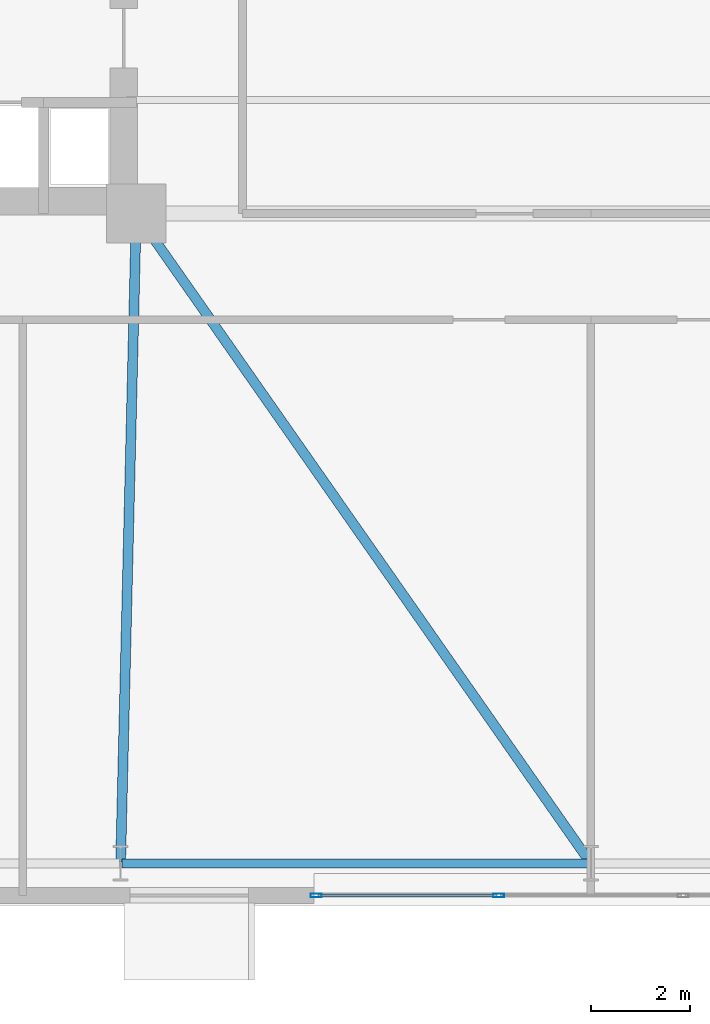
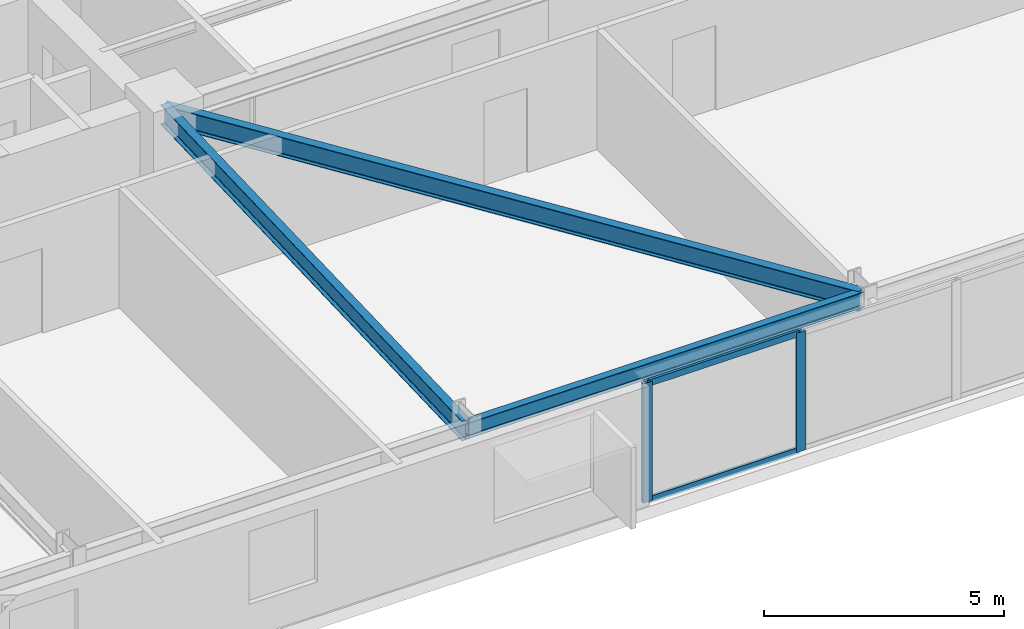
# One storey, part 6 of 24: 4 members, 3 beams, 1 element without a shape of its own.
"""IFC4 building model written with IfcOpenShell, lengths in metres."""

from ifc_helpers import new_model, si_unit, direction, frame, origin, origin_2d, place, context, subcontext, project, spatial, hollow_rectangle, i_section, extrude, material, layer, layer_set, material_profile, profile_set, type_object, element, aggregate, save


model = new_model("IFC4")

# Units and contexts
model_context = context("Model", 3, precision=1e-05, world=origin(), true_north=direction((0.0, 1.0)))
body_context = subcontext(model_context, "Body", "Model", "MODEL_VIEW")
ifc_project = project(units=[si_unit("LENGTHUNIT", "METRE"), si_unit("AREAUNIT", "SQUARE_METRE"), si_unit("VOLUMEUNIT", "CUBIC_METRE"), si_unit("PLANEANGLEUNIT", "RADIAN"), si_unit("MASSUNIT", "GRAM", prefix="KILO")], contexts=[model_context])

# Site, building, storey
site_placement = place(None, origin())
site = spatial("IfcSite", under=ifc_project, at=site_placement, CompositionType="ELEMENT")
building_placement = place(site_placement, origin())
building = spatial("IfcBuilding", under=site, at=building_placement, Name="Qobustan Lattice House", CompositionType="ELEMENT")
storey_placement = place(building_placement, frame((0.0, 0.0, 50.449951171875)))
storey = spatial("IfcBuildingStorey", under=building, at=storey_placement, Name="L13", CompositionType="ELEMENT", Elevation=50.449951171875)

# Beams
ifc_material_1 = material(Name="Steel S355", Category="steel")
ifc_material_profile_1 = material_profile(ifc_material_1, i_section(OverallWidth=0.199951171875, OverallDepth=0.5, WebThickness=0.01025390625, FlangeThickness=0.01611328125, FilletRadius=0.02099609375, at=origin_2d()), Name="IPE500")
ifc_profile_set_1 = profile_set([ifc_material_profile_1], Name="Steel S355")
beam_type_1 = type_object("IfcBeamType", Name="BM-FLG-IPE500", PredefinedType="USERDEFINED", material=ifc_profile_set_1)
beam_1_placement = place(storey_placement, frame((-9.51611328125, -18.72509765625, 2.78515625), z_axis=(0.024071445657, 0.999710240772, 0.0), x_axis=(-0.999710240772, 0.024071445657, 0.0)))
element("IfcBeam", 1, at=beam_1_placement, inside=storey, type_object=beam_type_1, Name="L13 primary floor girder RAD-S3", ObjectType="GIRDER", PredefinedType="USERDEFINED", context=body_context, shape_type="SweptSolid", body=[
    extrude(i_section(OverallWidth=0.199951171875, OverallDepth=0.5, WebThickness=0.01025390625, FlangeThickness=0.01611328125, FilletRadius=0.02099609375, at=origin_2d()), origin(), (0.0, 0.0, 1.0), 13.10400390625),
])
beam_2_placement = place(storey_placement, frame((-0.014404296875, -18.7294921875, 2.78515625), z_axis=(-0.57325954206, 0.819373844736, 0.0), x_axis=(-0.819373844736, -0.57325954206, 0.0)))
element("IfcBeam", 2, at=beam_2_placement, inside=storey, type_object=beam_type_1, Name="L13 primary floor girder RAD-S4", ObjectType="GIRDER", PredefinedType="USERDEFINED", context=body_context, shape_type="SweptSolid", body=[
    extrude(i_section(OverallWidth=0.199951171875, OverallDepth=0.5, WebThickness=0.01025390625, FlangeThickness=0.01611328125, FilletRadius=0.02099609375, at=origin_2d()), origin(), (0.0, 0.0, 1.0), 15.998779296875),
])
ifc_material_2 = material(Name="Steel S355", Category="steel")
ifc_material_profile_2 = material_profile(ifc_material_2, i_section(OverallWidth=0.179931640625, OverallDepth=0.39990234375, WebThickness=0.008544921875, FlangeThickness=0.013427734375, FilletRadius=0.02099609375, at=origin_2d()), Name="IPE400")
ifc_profile_set_2 = profile_set([ifc_material_profile_2], Name="Steel S355")
beam_type_2 = type_object("IfcBeamType", Name="BM-SPD-IPE400", PredefinedType="SPANDREL", material=ifc_profile_set_2)
beam_3_placement = place(storey_placement, frame((-9.49169921875, -18.75, 2.8349609375), z_axis=(1.0, 0.0, 0.0), x_axis=(0.0, 1.0, 0.0)))
element("IfcBeam", 3, at=beam_3_placement, inside=storey, type_object=beam_type_2, Name="L13 perimeter spandrel S3-S4", PredefinedType="SPANDREL", context=body_context, shape_type="SweptSolid", body=[
    extrude(i_section(OverallWidth=0.179931640625, OverallDepth=0.39990234375, WebThickness=0.008544921875, FlangeThickness=0.013427734375, FilletRadius=0.02099609375, at=origin_2d()), origin(), (0.0, 0.0, 1.0), 9.466796875),
])

# Curtain wall, members
ifc_material_3 = material(Name="Anodised aluminium and low-E glazing", Category="aluminium")
ifc_layer = layer(ifc_material_3, 0.219970703125)
ifc_layer_set = layer_set([ifc_layer], Name="Anodised aluminium and low-E glazing")
curtain_wall_type = type_object("IfcCurtainWallType", Name="CW-IWN-01", PredefinedType="USERDEFINED", material=ifc_layer_set)
curtain_wall_placement = place(storey_placement, origin())
curtain_wall = element("IfcCurtainWall", 4, at=curtain_wall_placement, inside=storey, type_object=curtain_wall_type, Name="L13 IWAN-1 walnut-lined iwan curtain wall", ObjectType="CURTAIN WALL", PredefinedType="USERDEFINED")
ifc_material_4 = material(Name="Anodised aluminium EN AW-6063 T6", Category="aluminium")
ifc_material_profile_3 = material_profile(ifc_material_4, hollow_rectangle(XDim=0.080078125, YDim=0.219970703125, WallThickness=0.0048828125, at=origin_2d()), Name="CWM-220x80")
ifc_profile_set_3 = profile_set([ifc_material_profile_3], Name="Anodised aluminium EN AW-6063 T6")
member_type_1 = type_object("IfcMemberType", Name="CWM-MAIN-220", PredefinedType="MULLION", material=ifc_profile_set_3)
member_1_placement = place(storey_placement, frame((-1.86669921875, -19.39990234375, 0.0), z_axis=(0.0, 0.0, 1.0), x_axis=(0.0, -1.0, 0.0)))
member_1 = element("IfcMember", 5, at=member_1_placement, type_object=member_type_1, Name="CW-IW mullion 3", PredefinedType="MULLION", context=body_context, shape_type="SweptSolid", body=[
    extrude(hollow_rectangle(XDim=0.080078125, YDim=0.219970703125, WallThickness=0.0048828125, at=origin_2d()), origin(), (0.0, 0.0, 1.0), 3.03515625),
])
member_2_placement = place(storey_placement, frame((-5.56005859375, -19.39990234375, 0.0), z_axis=(0.0, 0.0, 1.0), x_axis=(0.0, -1.0, 0.0)))
member_2 = element("IfcMember", 6, at=member_2_placement, type_object=member_type_1, Name="CW-IW mullion 4", PredefinedType="MULLION", context=body_context, shape_type="SweptSolid", body=[
    extrude(hollow_rectangle(XDim=0.080078125, YDim=0.219970703125, WallThickness=0.0048828125, at=origin_2d()), origin(), (0.0, 0.0, 1.0), 3.03515625),
])
ifc_material_5 = material(Name="Anodised aluminium EN AW-6063 T6", Category="aluminium")
ifc_material_profile_4 = material_profile(ifc_material_5, hollow_rectangle(XDim=0.06494140625, YDim=0.159912109375, WallThickness=0.00390625, at=origin_2d()), Name="CWT-160x65")
ifc_profile_set_4 = profile_set([ifc_material_profile_4], Name="Anodised aluminium EN AW-6063 T6")
member_type_2 = type_object("IfcMemberType", Name="CWT-HOR-160", PredefinedType="USERDEFINED", material=ifc_profile_set_4)
member_3_placement = place(storey_placement, frame((-1.90673828125, -19.39990234375, 0.032470703125), z_axis=(-1.0, 0.0, 0.0), x_axis=(0.0, -1.0, 0.0)))
member_3 = element("IfcMember", 7, at=member_3_placement, type_object=member_type_2, Name="CW-IW transom 3.1", ObjectType="TRANSOM", PredefinedType="USERDEFINED", context=body_context, shape_type="SweptSolid", body=[
    extrude(hollow_rectangle(XDim=0.06494140625, YDim=0.159912109375, WallThickness=0.00390625, at=origin_2d()), origin(), (0.0, 0.0, 1.0), 3.61328125),
])
member_4_placement = place(storey_placement, frame((-1.90673828125, -19.39990234375, 3.00244140625), z_axis=(-1.0, 0.0, 0.0), x_axis=(0.0, -1.0, 0.0)))
member_4 = element("IfcMember", 8, at=member_4_placement, type_object=member_type_2, Name="CW-IW transom 3.2", ObjectType="TRANSOM", PredefinedType="USERDEFINED", context=body_context, shape_type="SweptSolid", body=[
    extrude(hollow_rectangle(XDim=0.06494140625, YDim=0.159912109375, WallThickness=0.00390625, at=origin_2d()), origin(), (0.0, 0.0, 1.0), 3.61328125),
])
aggregate(curtain_wall, [member_1, member_2, member_3, member_4])

save(model, "model.ifc")
